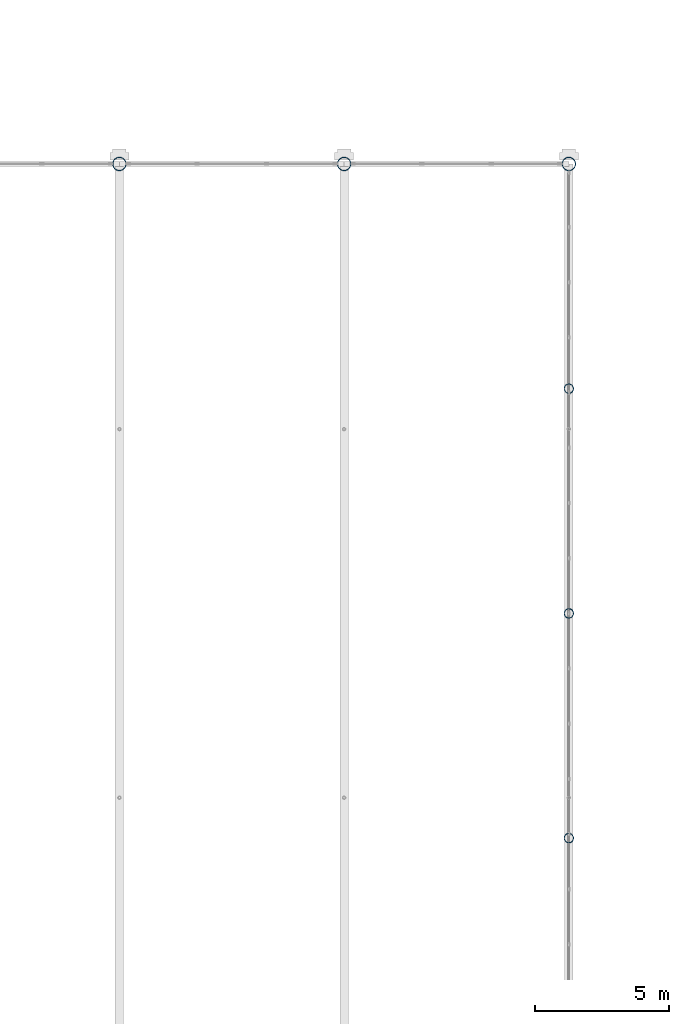
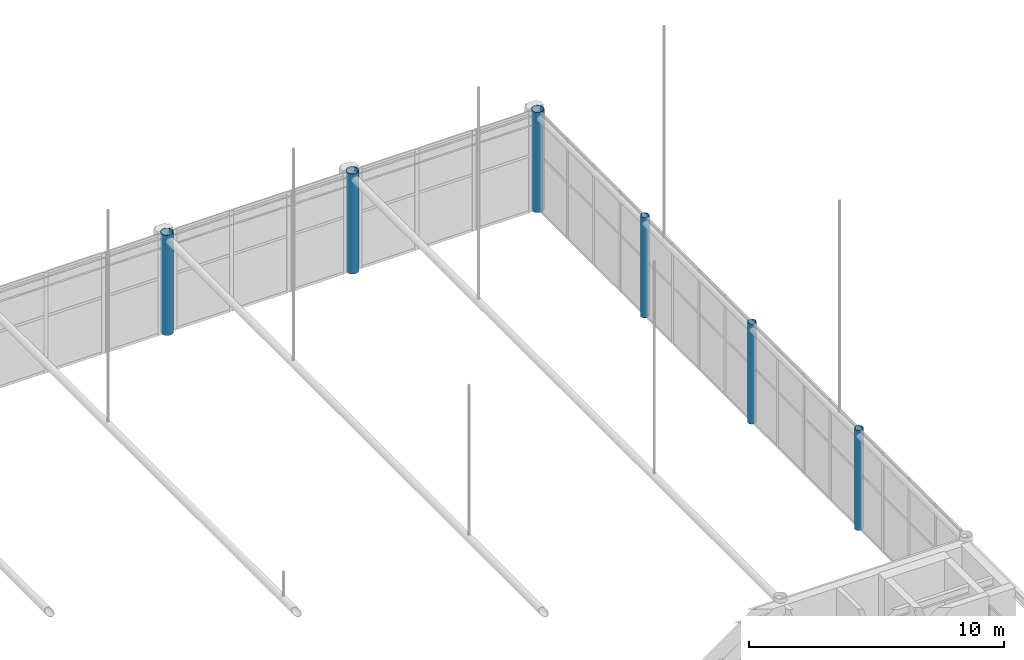
# One storey, part 10 of 167: 6 columns.
"""IFC4 building model written with IfcOpenShell, lengths in metres."""

from ifc_helpers import new_model, si_unit, direction, frame, origin, origin_2d, place, context, subcontext, project, spatial, hollow_circle, extrude, material, material_profile, profile_set, type_object, element, save


model = new_model("IFC4")

# Units and contexts
model_context = context("Model", 3, precision=1e-05, world=origin(), true_north=direction((0.0, 1.0)))
body_context = subcontext(model_context, "Body", "Model", "MODEL_VIEW")
ifc_project = project(units=[si_unit("LENGTHUNIT", "METRE"), si_unit("AREAUNIT", "SQUARE_METRE"), si_unit("VOLUMEUNIT", "CUBIC_METRE"), si_unit("PLANEANGLEUNIT", "RADIAN"), si_unit("MASSUNIT", "GRAM", prefix="KILO")], contexts=[model_context])

# Site, building, storey
site_placement = place(None, origin())
site = spatial("IfcSite", under=ifc_project, at=site_placement, CompositionType="ELEMENT")
building_placement = place(site_placement, origin())
building = spatial("IfcBuilding", under=site, at=building_placement, Name="Catenary Quay Ferry Terminal", CompositionType="ELEMENT")
storey_placement = place(building_placement, frame((0.0, 0.0, 6.0)))
storey = spatial("IfcBuildingStorey", under=building, at=storey_placement, Name="L01", CompositionType="ELEMENT", Elevation=6.0)

# Columns
ifc_material_1 = material(Name="Steel S355", Category="steel")
ifc_material_profile_1 = material_profile(ifc_material_1, hollow_circle(Radius=0.25390625, WallThickness=0.01611328125, at=origin_2d()), Name="CHS 508x16")
ifc_profile_set_1 = profile_set([ifc_material_profile_1], Name="Steel S355")
column_type_1 = type_object("IfcColumnType", Name="C4 CHS 508x16", PredefinedType="COLUMN", material=ifc_profile_set_1)
for number, where, z_axis, x_axis, name in (
    (1, (75.60009765625, 142.800048828125, 0.0), (0.0, 0.0, 1.0), (1.0, 0.0, 0.0), "Column C-J18 L01"),
    (2, (84.0, 142.800048828125, 0.0), (0.0, 0.0, 1.0), (1.0, 0.0, 0.0), "Column C-K18 L01"),
    (3, (92.39990234375, 142.800048828125, 0.0), (0.0, 0.0, 1.0), (1.0, 0.0, 0.0), "Column C-L18 L01"),
):
    element("IfcColumn", number, at=place(storey_placement, frame(where, z_axis=z_axis, x_axis=x_axis)), inside=storey, type_object=column_type_1, Name=name, PredefinedType="COLUMN", context=body_context, shape_type="SweptSolid", body=[
        extrude(hollow_circle(Radius=0.25390625, WallThickness=0.01611328125, at=origin_2d()), origin(), (0.0, 0.0, 1.0), 4.800048828125),
    ])
ifc_material_2 = material(Name="Steel S355", Category="steel")
ifc_material_profile_2 = material_profile(ifc_material_2, hollow_circle(Radius=0.177734375, WallThickness=0.012451171875, at=origin_2d()), Name="CHS 355.6x12.5")
ifc_profile_set_2 = profile_set([ifc_material_profile_2], Name="Steel S355")
column_type_2 = type_object("IfcColumnType", Name="C5 CHS 355.6x12.5", PredefinedType="COLUMN", material=ifc_profile_set_2)
for number, where, z_axis, x_axis, name in (
    (4, (92.39990234375, 117.60009765625, 0.0), (0.0, 0.0, 1.0), (1.0, 0.0, 0.0), "Column C-L15 L01"),
    (5, (92.39990234375, 126.0, 0.0), (0.0, 0.0, 1.0), (1.0, 0.0, 0.0), "Column C-L16 L01"),
    (6, (92.39990234375, 134.39990234375, 0.0), (0.0, 0.0, 1.0), (1.0, 0.0, 0.0), "Column C-L17 L01"),
):
    element("IfcColumn", number, at=place(storey_placement, frame(where, z_axis=z_axis, x_axis=x_axis)), inside=storey, type_object=column_type_2, Name=name, PredefinedType="COLUMN", context=body_context, shape_type="SweptSolid", body=[
        extrude(hollow_circle(Radius=0.177734375, WallThickness=0.012451171875, at=origin_2d()), origin(), (0.0, 0.0, 1.0), 4.800048828125),
    ])

save(model, "model.ifc")
